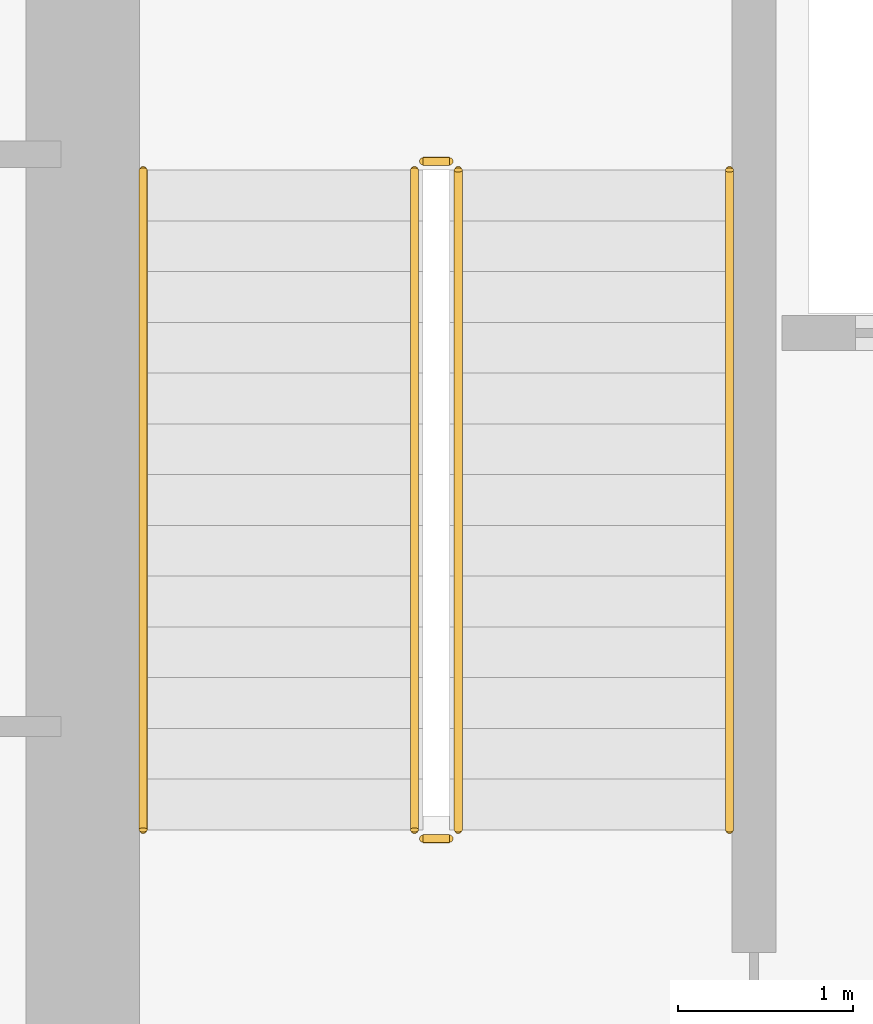
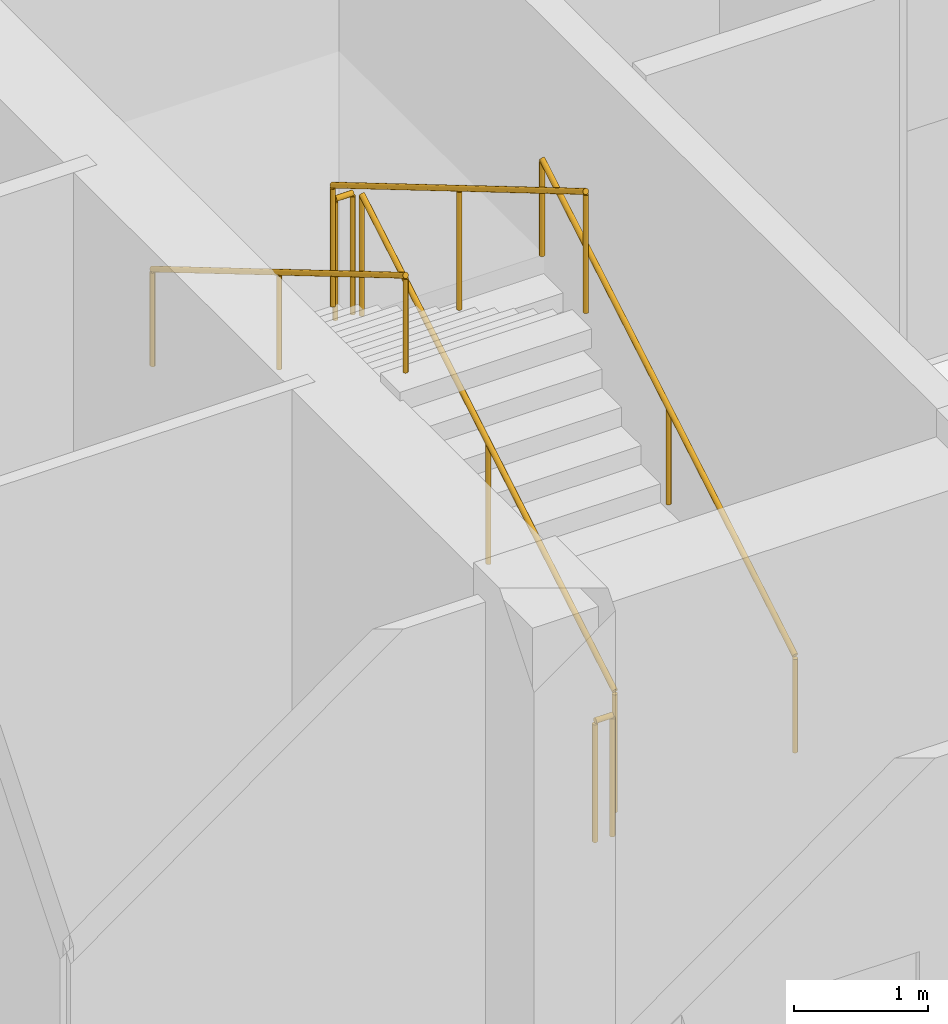
# One storey, part 17 of 19: 6 railings.
"""IFC4 building model written with IfcOpenShell, lengths in metres."""

from ifc_helpers import new_model, si_unit, direction, frame, origin, origin_2d, place, context, subcontext, project, spatial, circle, extrude, material, type_object, element, save


model = new_model("IFC4")

# Units and contexts
model_context = context("Model", 3, precision=1e-05, world=origin(), true_north=direction((0.0, 1.0)))
body_context = subcontext(model_context, "Body", "Model", "MODEL_VIEW")
ifc_project = project(units=[si_unit("LENGTHUNIT", "METRE"), si_unit("AREAUNIT", "SQUARE_METRE"), si_unit("VOLUMEUNIT", "CUBIC_METRE"), si_unit("PLANEANGLEUNIT", "RADIAN"), si_unit("MASSUNIT", "GRAM", prefix="KILO")], contexts=[model_context])

# Site, building, storey
site_placement = place(None, origin())
site = spatial("IfcSite", under=ifc_project, at=site_placement, CompositionType="ELEMENT")
building_placement = place(site_placement, origin())
building = spatial("IfcBuilding", under=site, at=building_placement, Name="Varnelok Gate Tower", CompositionType="ELEMENT")
storey_placement = place(building_placement, frame((0.0, 0.0, 207.89990234375)))
storey = spatial("IfcBuildingStorey", under=building, at=storey_placement, Name="L53", CompositionType="ELEMENT", Elevation=207.89990234375)

# Railings
ifc_material_1 = material(Name="Brushed Stainless Steel AISI 316", Category="steel")
railing_type_1 = type_object("IfcRailingType", Name="RL-HANDRAIL-900", PredefinedType="HANDRAIL", material=ifc_material_1)
railing_1_placement = place(storey_placement, frame((34.5, 31.60009765625, 0.171630859375)))
element("IfcRailing", 1, at=railing_1_placement, inside=storey, type_object=railing_type_1, Name="L53 ST-1 stair handrail 1", PredefinedType="HANDRAIL", context=body_context, shape_type="SweptSolid", body=[
    extrude(circle(Radius=0.02392578125, at=origin_2d()), frame((0.0, 0.0, 0.8759765625), z_axis=(0.0, 0.860848830602, 0.508860777473), x_axis=(-1.0, 0.0, 0.0)), (0.0, 0.0, 1.0), 4.37939453125),
    extrude(circle(Radius=0.02099609375, at=origin_2d()), origin(), (0.0, 0.0, 1.0), 0.851806640625),
    extrude(circle(Radius=0.02099609375, at=origin_2d()), frame((0.0, 1.885009765625, 1.1142578125)), (0.0, 0.0, 1.0), 0.851806640625),
    extrude(circle(Radius=0.02099609375, at=origin_2d()), frame((0.0, 3.77001953125, 2.228515625)), (0.0, 0.0, 1.0), 0.851806640625),
])
railing_2_placement = place(storey_placement, frame((31.14990234375, 35.3701171875, 2.571533203125)))
element("IfcRailing", 2, at=railing_2_placement, inside=storey, type_object=railing_type_1, Name="L53 ST-1 stair handrail 2", PredefinedType="HANDRAIL", context=body_context, shape_type="SweptSolid", body=[
    extrude(circle(Radius=0.02392578125, at=origin_2d()), frame((0.0, 0.0, 0.8759765625), z_axis=(0.0, -0.860848830602, 0.508860777473), x_axis=(1.0, 0.0, 0.0)), (0.0, 0.0, 1.0), 4.37939453125),
    extrude(circle(Radius=0.02099609375, at=origin_2d()), origin(), (0.0, 0.0, 1.0), 0.851806640625),
    extrude(circle(Radius=0.02099609375, at=origin_2d()), frame((0.0, -1.885009765625, 1.1142578125)), (0.0, 0.0, 1.0), 0.851806640625),
    extrude(circle(Radius=0.02099609375, at=origin_2d()), frame((0.0, -3.77001953125, 2.228515625)), (0.0, 0.0, 1.0), 0.851806640625),
])
ifc_material_2 = material(Name="Galvanized Steel Grade S350GD", Category="steel")
railing_type_2 = type_object("IfcRailingType", Name="RL-STAIR-GUARD1120", PredefinedType="GUARDRAIL", material=ifc_material_2)
railing_3_placement = place(storey_placement, frame((32.949951171875, 31.60009765625, 0.171630859375)))
element("IfcRailing", 3, at=railing_3_placement, inside=storey, type_object=railing_type_2, Name="L53 ST-1 stair guard 1", PredefinedType="GUARDRAIL", context=body_context, shape_type="SweptSolid", body=[
    extrude(circle(Radius=0.02392578125, at=origin_2d()), frame((0.0, 0.0, 1.09619140625), z_axis=(0.0, 0.860848830602, 0.508860777473), x_axis=(-1.0, 0.0, 0.0)), (0.0, 0.0, 1.0), 4.37939453125),
    extrude(circle(Radius=0.02099609375, at=origin_2d()), origin(), (0.0, 0.0, 1.0), 1.072021484375),
    extrude(circle(Radius=0.02099609375, at=origin_2d()), frame((0.0, 1.885009765625, 1.1142578125)), (0.0, 0.0, 1.0), 1.072021484375),
    extrude(circle(Radius=0.02099609375, at=origin_2d()), frame((0.0, 3.77001953125, 2.228515625)), (0.0, 0.0, 1.0), 1.072021484375),
])
railing_4_placement = place(storey_placement, frame((32.89990234375, 35.419921875, 2.400146484375)))
element("IfcRailing", 4, at=railing_4_placement, inside=storey, type_object=railing_type_2, Name="L53 ST-1 stair guard 2", PredefinedType="GUARDRAIL", context=body_context, shape_type="SweptSolid", body=[
    extrude(circle(Radius=0.02392578125, at=origin_2d()), frame((0.0, 0.0, 1.09619140625), z_axis=(-1.0, 0.0, 0.0), x_axis=(0.0, -1.0, 0.0)), (0.0, 0.0, 1.0), 0.14990234375),
    extrude(circle(Radius=0.02099609375, at=origin_2d()), origin(), (0.0, 0.0, 1.0), 1.072021484375),
    extrude(circle(Radius=0.02099609375, at=origin_2d()), frame((-0.14990234375, 0.0, 0.0)), (0.0, 0.0, 1.0), 1.072021484375),
])
railing_5_placement = place(storey_placement, frame((32.699951171875, 35.3701171875, 2.571533203125)))
element("IfcRailing", 5, at=railing_5_placement, inside=storey, type_object=railing_type_2, Name="L53 ST-1 stair guard 3", PredefinedType="GUARDRAIL", context=body_context, shape_type="SweptSolid", body=[
    extrude(circle(Radius=0.02392578125, at=origin_2d()), frame((0.0, 0.0, 1.09619140625), z_axis=(0.0, -0.860848830602, 0.508860777473), x_axis=(1.0, 0.0, 0.0)), (0.0, 0.0, 1.0), 4.37939453125),
    extrude(circle(Radius=0.02099609375, at=origin_2d()), origin(), (0.0, 0.0, 1.0), 1.072021484375),
    extrude(circle(Radius=0.02099609375, at=origin_2d()), frame((0.0, -1.885009765625, 1.1142578125)), (0.0, 0.0, 1.0), 1.072021484375),
    extrude(circle(Radius=0.02099609375, at=origin_2d()), frame((0.0, -3.77001953125, 2.228515625)), (0.0, 0.0, 1.0), 1.072021484375),
])
railing_6_placement = place(storey_placement, frame((32.89990234375, 31.550048828125, 0.0)))
element("IfcRailing", 6, at=railing_6_placement, inside=storey, type_object=railing_type_2, Name="L53 ST-1 stair guard 4", PredefinedType="GUARDRAIL", context=body_context, shape_type="SweptSolid", body=[
    extrude(circle(Radius=0.02392578125, at=origin_2d()), frame((0.0, 0.0, 1.09619140625), z_axis=(-1.0, 0.0, 0.0), x_axis=(0.0, -1.0, 0.0)), (0.0, 0.0, 1.0), 0.14990234375),
    extrude(circle(Radius=0.02099609375, at=origin_2d()), origin(), (0.0, 0.0, 1.0), 1.072021484375),
    extrude(circle(Radius=0.02099609375, at=origin_2d()), frame((-0.14990234375, 0.0, 0.0)), (0.0, 0.0, 1.0), 1.072021484375),
])

save(model, "model.ifc")
